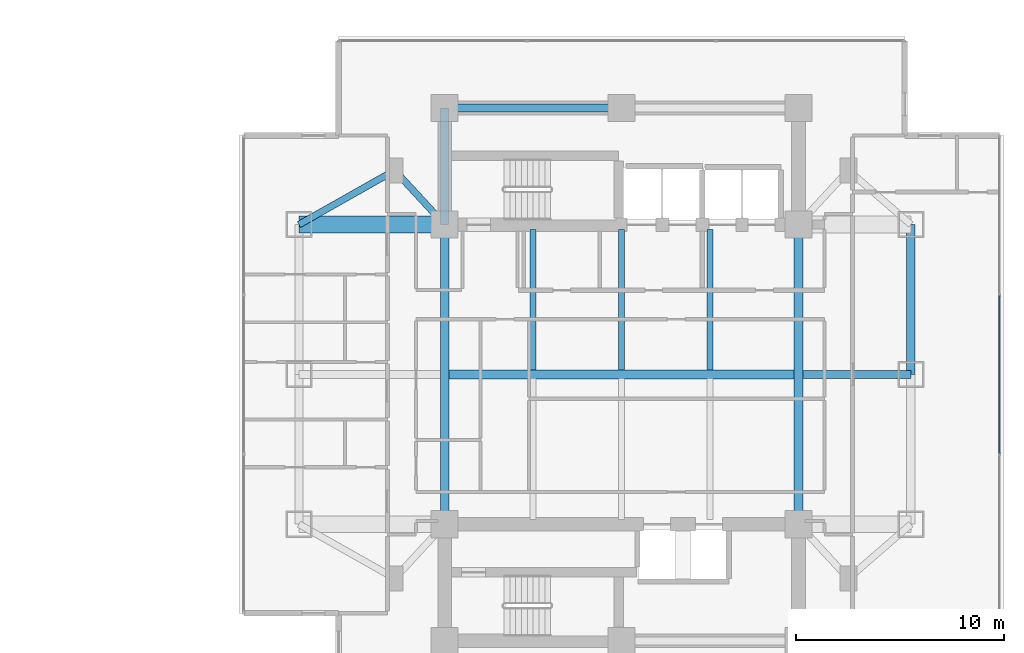
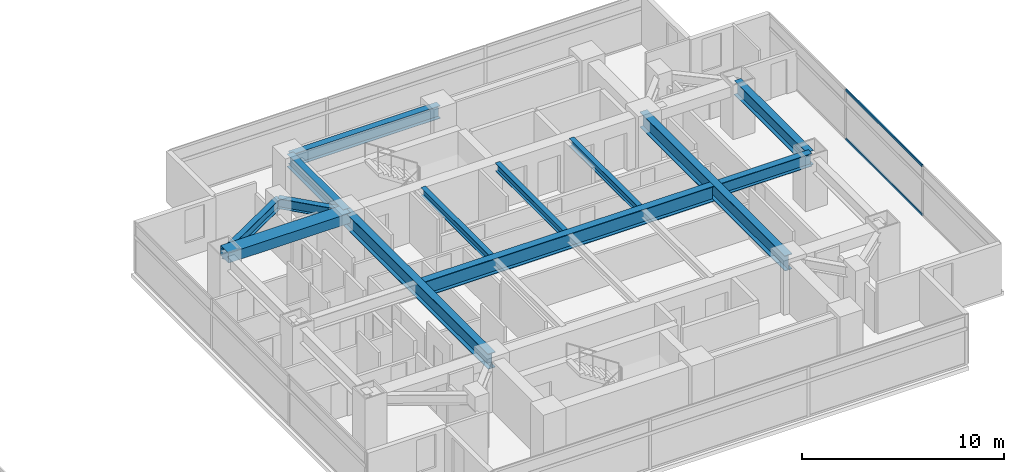
# One storey, part 9 of 24: 13 beams, 2 members, 1 element without a shape of its own.
"""IFC4 building model written with IfcOpenShell, lengths in metres."""

from ifc_helpers import new_model, si_unit, direction, frame, origin, origin_2d, place, context, subcontext, project, spatial, rectangle, i_section, extrude, material, material_profile, profile_set, type_object, element, aggregate, save


model = new_model("IFC4")

# Units and contexts
model_context = context("Model", 3, precision=1e-05, world=origin(), true_north=direction((0.0, 1.0)))
body_context = subcontext(model_context, "Body", "Model", "MODEL_VIEW")
ifc_project = project(units=[si_unit("LENGTHUNIT", "METRE"), si_unit("AREAUNIT", "SQUARE_METRE"), si_unit("VOLUMEUNIT", "CUBIC_METRE"), si_unit("PLANEANGLEUNIT", "RADIAN"), si_unit("MASSUNIT", "GRAM", prefix="KILO")], contexts=[model_context])

# Site, building, storey
site_placement = place(None, origin())
site = spatial("IfcSite", under=ifc_project, at=site_placement, CompositionType="ELEMENT")
building_placement = place(site_placement, origin())
building = spatial("IfcBuilding", under=site, at=building_placement, Name="Mirazonda Arch Towers", CompositionType="ELEMENT")
storey_placement = place(building_placement, frame((0.0, 0.0, 62.0)))
storey = spatial("IfcBuildingStorey", under=building, at=storey_placement, Name="L17", CompositionType="ELEMENT", Elevation=62.0)

# Beams
ifc_material_1 = material(Name="Steel ASTM A992 Grade 50", Category="steel")
ifc_material_profile_1 = material_profile(ifc_material_1, i_section(OverallWidth=0.39990234375, OverallDepth=0.85595703125, WebThickness=0.018310546875, FlangeThickness=0.029296875, at=origin_2d()), Name="W33X201")
ifc_profile_set_1 = profile_set([ifc_material_profile_1], Name="Steel ASTM A992 Grade 50")
beam_type_1 = type_object("IfcBeamType", Name="BM-EXT-W33X201", PredefinedType="USERDEFINED", material=ifc_profile_set_1)
beam_1_placement = place(storey_placement, frame((90.39990234375, 28.0, 2.632080078125), z_axis=(0.0, 1.0, 0.0), x_axis=(-1.0, 0.0, 0.0)))
element("IfcBeam", 1, at=beam_1_placement, inside=storey, type_object=beam_type_1, Name="L17 Floor Beam BM-T2-L17-NS-E-28", ObjectType="GIRDER", PredefinedType="USERDEFINED", context=body_context, shape_type="SweptSolid", body=[
    extrude(i_section(OverallWidth=0.39990234375, OverallDepth=0.85595703125, WebThickness=0.018310546875, FlangeThickness=0.029296875, at=origin_2d()), origin(), (0.0, 0.0, 1.0), 7.199951171875),
])
ifc_material_profile_2 = material_profile(ifc_material_1, i_section(OverallWidth=0.280029296875, OverallDepth=0.462890625, WebThickness=0.0107421875, FlangeThickness=0.017333984375, at=origin_2d()), Name="W18X76")
ifc_profile_set_2 = profile_set([ifc_material_profile_2], Name="Steel ASTM A992 Grade 50")
beam_type_2 = type_object("IfcBeamType", Name="BM-INT-W18X76", PredefinedType="JOIST", material=ifc_profile_set_2)
for number, where, z_axis, x_axis, name in (
    (2, (72.25, 28.205078125, 2.82861328125), (0.0, 1.0, 0.0), (-1.0, 0.0, 0.0), "L17 Floor Beam BM-T2-L17-J-722-28"),
    (3, (76.5, 28.205078125, 2.82861328125), (0.0, 1.0, 0.0), (-1.0, 0.0, 0.0), "L17 Floor Beam BM-T2-L17-J-765-28"),
    (4, (80.75, 28.205078125, 2.82861328125), (0.0, 1.0, 0.0), (-1.0, 0.0, 0.0), "L17 Floor Beam BM-T2-L17-J-807-28"),
):
    element("IfcBeam", number, at=place(storey_placement, frame(where, z_axis=z_axis, x_axis=x_axis)), inside=storey, type_object=beam_type_2, Name=name, PredefinedType="JOIST", context=body_context, shape_type="SweptSolid", body=[
        extrude(i_section(OverallWidth=0.280029296875, OverallDepth=0.462890625, WebThickness=0.0107421875, FlangeThickness=0.017333984375, at=origin_2d()), origin(), (0.0, 0.0, 1.0), 6.7548828125),
    ])
ifc_material_profile_3 = material_profile(ifc_material_1, i_section(OverallWidth=0.324951171875, OverallDepth=0.615966796875, WebThickness=0.013916015625, FlangeThickness=0.021484375, at=origin_2d()), Name="W24X117")
ifc_profile_set_3 = profile_set([ifc_material_profile_3], Name="Steel ASTM A992 Grade 50")
beam_type_3 = type_object("IfcBeamType", Name="BM-INT-W24X117", PredefinedType="BEAM", material=ifc_profile_set_3)
beam_2_placement = place(storey_placement, frame((65.60009765625, 37.800048828125, 2.751953125), z_axis=(0.678251444854, -0.734829897019, 0.0), x_axis=(0.734829897019, 0.678251444854, 0.0)))
element("IfcBeam", 5, at=beam_2_placement, inside=storey, type_object=beam_type_3, Name="L17 Floor Beam BM-T2-L17-PL-NW1", PredefinedType="BEAM", context=body_context, shape_type="SweptSolid", body=[
    extrude(i_section(OverallWidth=0.324951171875, OverallDepth=0.615966796875, WebThickness=0.013916015625, FlangeThickness=0.021484375, at=origin_2d()), origin(), (0.0, 0.0, 1.0), 3.538330078125),
])
beam_3_placement = place(storey_placement, frame((65.60009765625, 37.800048828125, 2.751953125), z_axis=(-0.870559396632, -0.492063346467, 0.0), x_axis=(0.492063346467, -0.870559396632, 0.0)))
element("IfcBeam", 6, at=beam_3_placement, inside=storey, type_object=beam_type_3, Name="L17 Floor Beam BM-T2-L17-PL-NW2", PredefinedType="BEAM", context=body_context, shape_type="SweptSolid", body=[
    extrude(i_section(OverallWidth=0.324951171875, OverallDepth=0.615966796875, WebThickness=0.013916015625, FlangeThickness=0.021484375, at=origin_2d()), origin(), (0.0, 0.0, 1.0), 5.2841796875),
])
ifc_material_profile_4 = material_profile(ifc_material_1, i_section(OverallWidth=0.381103515625, OverallDepth=0.77294921875, WebThickness=0.0166015625, FlangeThickness=0.027099609375, at=origin_2d()), Name="W30X173")
ifc_profile_set_4 = profile_set([ifc_material_profile_4], Name="Steel ASTM A992 Grade 50")
beam_type_4 = type_object("IfcBeamType", Name="BM-INT-W30X173", PredefinedType="USERDEFINED", material=ifc_profile_set_4)
beam_4_placement = place(storey_placement, frame((68.0, 40.800048828125, 2.673583984375), z_axis=(1.0, 0.0, 0.0), x_axis=(0.0, 1.0, 0.0)))
element("IfcBeam", 7, at=beam_4_placement, inside=storey, type_object=beam_type_4, Name="L17 Floor Beam BM-T2-L17-CN1", ObjectType="GIRDER", PredefinedType="USERDEFINED", context=body_context, shape_type="SweptSolid", body=[
    extrude(i_section(OverallWidth=0.381103515625, OverallDepth=0.77294921875, WebThickness=0.0166015625, FlangeThickness=0.027099609375, at=origin_2d()), origin(), (0.0, 0.0, 1.0), 8.5),
])
beam_5_placement = place(storey_placement, frame((68.0, 35.199951171875, 2.673583984375), z_axis=(0.0, 1.0, 0.0), x_axis=(-1.0, 0.0, 0.0)))
element("IfcBeam", 8, at=beam_5_placement, inside=storey, type_object=beam_type_4, Name="L17 Floor Beam BM-T2-L17-CNW", ObjectType="GIRDER", PredefinedType="USERDEFINED", context=body_context, shape_type="SweptSolid", body=[
    extrude(i_section(OverallWidth=0.381103515625, OverallDepth=0.77294921875, WebThickness=0.0166015625, FlangeThickness=0.027099609375, at=origin_2d()), origin(), (0.0, 0.0, 1.0), 5.60009765625),
])
beam_6_placement = place(storey_placement, frame((85.208984375, 28.0, 2.673583984375), z_axis=(1.0, 0.0, 0.0), x_axis=(0.0, 1.0, 0.0)))
element("IfcBeam", 9, at=beam_6_placement, inside=storey, type_object=beam_type_4, Name="L17 Floor Beam BM-T2-L17-GE2", ObjectType="GIRDER", PredefinedType="USERDEFINED", context=body_context, shape_type="SweptSolid", body=[
    extrude(i_section(OverallWidth=0.381103515625, OverallDepth=0.77294921875, WebThickness=0.0166015625, FlangeThickness=0.027099609375, at=origin_2d()), origin(), (0.0, 0.0, 1.0), 5.19091796875),
])
ifc_material_profile_5 = material_profile(ifc_material_1, i_section(OverallWidth=0.41796875, OverallDepth=0.927001953125, WebThickness=0.019287109375, FlangeThickness=0.031982421875, at=origin_2d()), Name="W36X231")
ifc_profile_set_5 = profile_set([ifc_material_profile_5], Name="Steel ASTM A992 Grade 50")
beam_type_5 = type_object("IfcBeamType", Name="BM-INT-W36X231", PredefinedType="USERDEFINED", material=ifc_profile_set_5)
beam_7_placement = place(storey_placement, frame((68.208984375, 28.0, 2.596435546875), z_axis=(1.0, 0.0, 0.0), x_axis=(0.0, 1.0, 0.0)))
element("IfcBeam", 10, at=beam_7_placement, inside=storey, type_object=beam_type_5, Name="L17 Floor Beam BM-T2-L17-GC2", ObjectType="GIRDER", PredefinedType="USERDEFINED", context=body_context, shape_type="SweptSolid", body=[
    extrude(i_section(OverallWidth=0.41796875, OverallDepth=0.927001953125, WebThickness=0.019287109375, FlangeThickness=0.031982421875, at=origin_2d()), origin(), (0.0, 0.0, 1.0), 16.58203125),
])
for number, where, z_axis, x_axis, name in (
    (11, (68.0, 20.800048828125, 2.596435546875), (0.0, 1.0, 0.0), (-1.0, 0.0, 0.0), "L17 Floor Beam BM-T2-L17-NS-CW-FULL"),
    (12, (85.0, 20.800048828125, 2.596435546875), (0.0, 1.0, 0.0), (-1.0, 0.0, 0.0), "L17 Floor Beam BM-T2-L17-NS-CE-FULL"),
):
    element("IfcBeam", number, at=place(storey_placement, frame(where, z_axis=z_axis, x_axis=x_axis)), inside=storey, type_object=beam_type_5, Name=name, ObjectType="GIRDER", PredefinedType="USERDEFINED", context=body_context, shape_type="SweptSolid", body=[
        extrude(i_section(OverallWidth=0.41796875, OverallDepth=0.927001953125, WebThickness=0.019287109375, FlangeThickness=0.031982421875, at=origin_2d()), origin(), (0.0, 0.0, 1.0), 14.39990234375),
    ])
ifc_material_2 = material(Name="Concrete C60/75", Category="concrete")
ifc_material_profile_6 = material_profile(ifc_material_2, rectangle(XDim=0.800048828125, YDim=0.60009765625, at=origin_2d()), Name="RCCB800x600")
ifc_profile_set_6 = profile_set([ifc_material_profile_6], Name="Concrete C60/75")
beam_type_6 = type_object("IfcBeamType", Name="CB-INT-RCCB800x600", PredefinedType="SPANDREL", material=ifc_profile_set_6)
beam_8_placement = place(storey_placement, frame((61.0, 35.199951171875, 2.760009765625), z_axis=(1.0, 0.0, 0.0), x_axis=(0.0, 1.0, 0.0)))
element("IfcBeam", 13, at=beam_8_placement, inside=storey, type_object=beam_type_6, Name="L17 Floor Beam CBC-T2-L17-NW", PredefinedType="SPANDREL", context=body_context, shape_type="SweptSolid", body=[
    extrude(rectangle(XDim=0.800048828125, YDim=0.60009765625, at=origin_2d()), origin(), (0.0, 0.0, 1.0), 7.0),
])

# Curtain wall, members
ifc_material_3 = material(Name="Anodised Aluminium and Low-E Glass", Category="aluminium")
curtain_wall_type = type_object("IfcCurtainWallType", Name="CW-HTL-UNIT", PredefinedType="NOTDEFINED", material=ifc_material_3)
curtain_wall_placement = place(storey_placement, origin())
curtain_wall = element("IfcCurtainWall", 14, at=curtain_wall_placement, inside=storey, type_object=curtain_wall_type, Name="L17 T2 E Facade CW-L17-T2-E", PredefinedType="NOTDEFINED")
ifc_material_4 = material(Name="Anodised Aluminium Alloy", Category="aluminium")
ifc_material_profile_7 = material_profile(ifc_material_4, rectangle(XDim=0.074951171875, YDim=0.14501953125, at=origin_2d()), Name="ALU-TRAN-75x145")
ifc_profile_set_7 = profile_set([ifc_material_profile_7], Name="Anodised Aluminium Alloy")
member_type = type_object("IfcMemberType", Name="TRAN-CW-HTL-UNIT", PredefinedType="USERDEFINED", material=ifc_profile_set_7)
member_1_placement = place(storey_placement, frame((94.654052734375, 24.2109375, 0.03759765625), z_axis=(0.0, 1.0, 0.0), x_axis=(-1.0, 0.0, 0.0)))
member_1 = element("IfcMember", 15, at=member_1_placement, type_object=member_type, Name="CW-112 transom 2.1", ObjectType="TRANSOM", PredefinedType="USERDEFINED", context=body_context, shape_type="SweptSolid", body=[
    extrude(rectangle(XDim=0.074951171875, YDim=0.14501953125, at=origin_2d()), origin(), (0.0, 0.0, 1.0), 7.578125),
])
member_2_placement = place(storey_placement, frame((94.654052734375, 24.2109375, 3.00244140625), z_axis=(0.0, 1.0, 0.0), x_axis=(-1.0, 0.0, 0.0)))
member_2 = element("IfcMember", 16, at=member_2_placement, type_object=member_type, Name="CW-112 transom 2.2", ObjectType="TRANSOM", PredefinedType="USERDEFINED", context=body_context, shape_type="SweptSolid", body=[
    extrude(rectangle(XDim=0.074951171875, YDim=0.14501953125, at=origin_2d()), origin(), (0.0, 0.0, 1.0), 7.578125),
])
aggregate(curtain_wall, [member_1, member_2])

save(model, "model.ifc")
